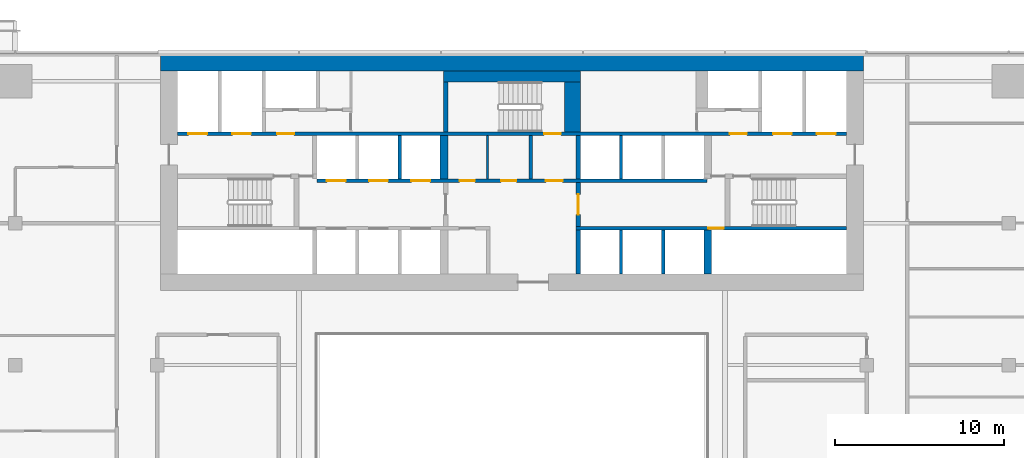
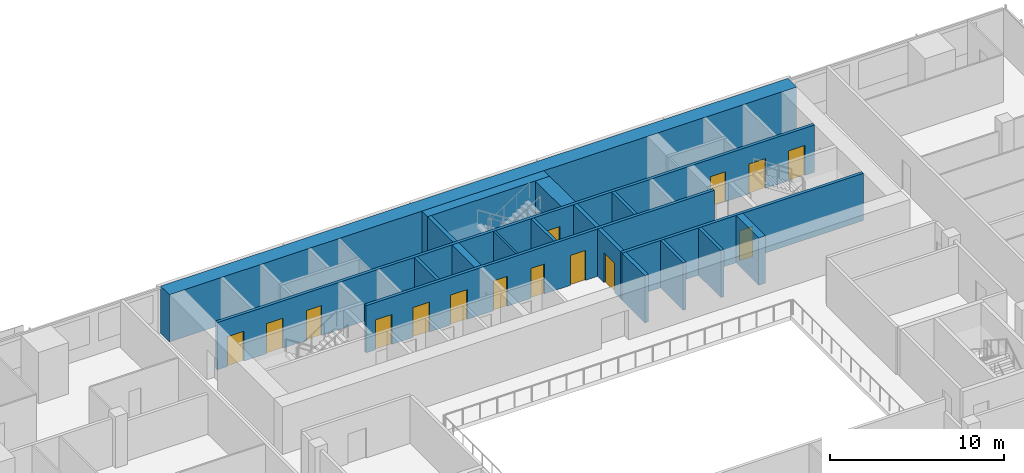
# One storey, part 22 of 30: 18 walls, 15 doors, 15 openings.
"""IFC4 building model written with IfcOpenShell, lengths in metres."""

from ifc_helpers import new_model, si_unit, direction, frame, frame_2d, origin, place, context, subcontext, project, spatial, rectangle, extrude, material, layer, layer_set, type_object, element, fill, save


model = new_model("IFC4")

# Units and contexts
model_context = context("Model", 3, precision=1e-05, world=origin(), true_north=direction((0.0, 1.0)))
body_context = subcontext(model_context, "Body", "Model", "MODEL_VIEW")
ifc_project = project(units=[si_unit("LENGTHUNIT", "METRE"), si_unit("AREAUNIT", "SQUARE_METRE"), si_unit("VOLUMEUNIT", "CUBIC_METRE"), si_unit("PLANEANGLEUNIT", "RADIAN"), si_unit("MASSUNIT", "GRAM", prefix="KILO")], contexts=[model_context])

# Site, building, storey
site_placement = place(None, origin())
site = spatial("IfcSite", under=ifc_project, at=site_placement, CompositionType="ELEMENT")
building_placement = place(site_placement, origin())
building = spatial("IfcBuilding", under=site, at=building_placement, Name="Saffron Gate Tower", CompositionType="ELEMENT")
storey_placement = place(building_placement, frame((0.0, 0.0, 127.64990234375)))
storey = spatial("IfcBuildingStorey", under=building, at=storey_placement, Name="L30", CompositionType="ELEMENT", Elevation=127.64990234375)

# Walls
ifc_material_1 = material(Name="Gypsum board partition on steel studs", Category="steel")
ifc_layer_1 = layer(ifc_material_1, 0.199951171875)
ifc_layer_set_1 = layer_set([ifc_layer_1], Name="CW10 Core partition 200")
wall_type_1 = type_object("IfcWallType", Name="CW10 Core partition 200", PredefinedType="PARTITIONING", material=ifc_layer_set_1)
wall_1_placement = place(storey_placement, frame((88.699951171875, 68.0, 0.0), z_axis=(0.0, 0.0, 1.0), x_axis=(0.0, 1.0, 0.0)))
element("IfcWall", 1, at=wall_1_placement, inside=storey, type_object=wall_type_1, Name="Wall CW10-L30-25", PredefinedType="PARTITIONING", context=body_context, shape_type="SweptSolid", body=[
    extrude(rectangle(XDim=2.60009765625, YDim=0.199951171875, at=frame_2d((1.300048828125, 0.0))), origin(), (0.0, 0.0, 1.0), 3.320068359375),
])
ifc_material_2 = material(Name="Concrete C70", Category="concrete")
ifc_layer_2 = layer(ifc_material_2, 1.0)
ifc_layer_set_2 = layer_set([ifc_layer_2], Name="CW12 RC core wall 1000 C70")
wall_type_2 = type_object("IfcWallType", Name="CW12 RC core wall 1000 C70", PredefinedType="SOLIDWALL", material=ifc_layer_set_2)
wall_2_placement = place(storey_placement, frame((66.800048828125, 74.89990234375, 0.0), z_axis=(0.0, 0.0, 1.0), x_axis=(1.0, 0.0, 0.0)))
element("IfcWall", 2, at=wall_2_placement, inside=storey, type_object=wall_type_2, Name="Wall CW12-L30-2", PredefinedType="SOLIDWALL", context=body_context, shape_type="SweptSolid", body=[
    extrude(rectangle(XDim=41.599853515625, YDim=1.0, at=frame_2d((20.7998046875, 0.0))), origin(), (0.0, 0.0, 1.0), 3.320068359375),
])
ifc_layer_3 = layer(ifc_material_2, 0.25)
ifc_layer_set_3 = layer_set([ifc_layer_3], Name="CW2 RC core wall 250 C70")
wall_type_3 = type_object("IfcWallType", Name="CW2 RC core wall 250 C70", PredefinedType="SOLIDWALL", material=ifc_layer_set_3)
wall_3_placement = place(storey_placement, frame((91.52490234375, 62.39990234375, 0.0), z_axis=(0.0, 0.0, 1.0), x_axis=(0.0, 1.0, 0.0)))
element("IfcWall", 3, at=wall_3_placement, inside=storey, type_object=wall_type_3, Name="Wall CW2-L30-10", PredefinedType="SOLIDWALL", context=body_context, shape_type="SweptSolid", body=[
    extrude(rectangle(XDim=2.60009765625, YDim=0.25, at=frame_2d((1.300048828125, 0.0))), origin(), (0.0, 0.0, 1.0), 3.320068359375),
])

# Wall, opening, door
wall_4_placement = place(storey_placement, frame((91.52490234375, 65.199951171875, 0.0), z_axis=(0.0, 0.0, 1.0), x_axis=(0.0, 1.0, 0.0)))
wall_4 = element("IfcWall", 4, at=wall_4_placement, inside=storey, type_object=wall_type_3, Name="Wall CW2-L30-18", PredefinedType="SOLIDWALL", context=body_context, shape_type="SweptSolid", body=[
    extrude(rectangle(XDim=2.60009765625, YDim=0.25, at=frame_2d((1.300048828125, 0.0))), origin(), (0.0, 0.0, 1.0), 3.320068359375),
])
opening_1_placement = place(wall_4_placement, frame((0.699951171875, 0.0, 0.0)))
opening_1 = element("IfcOpeningElement", 5, at=opening_1_placement, cuts=wall_4, Name="Opening CR-01", PredefinedType="OPENING", context=body_context, shape_type="SweptSolid", body=[
    extrude(rectangle(XDim=1.199951171875, YDim=2.10009765625, at=frame_2d((0.60009765625, 1.050048828125))), frame((0.0, 0.135009765625, 0.0), z_axis=(0.0, -1.0, 0.0), x_axis=(1.0, 0.0, 0.0)), (0.0, 0.0, 1.0), 0.27001953125),
])
ifc_material_3 = material(Name="Steel fire door set", Category="steel")
door_type_1 = type_object("IfcDoorType", Name="CD3 Lobby door 1200x2100 EI 120", OperationType="NOTDEFINED", PredefinedType="DOOR", material=ifc_material_3)
door_1_placement = place(opening_1_placement, origin())
door_1 = element("IfcDoor", 6, at=door_1_placement, inside=storey, type_object=door_type_1, Name="DOOR CR-01", OperationType="SINGLE_SWING_RIGHT", OverallHeight=2.10009765625, OverallWidth=1.199951171875, PredefinedType="DOOR", context=body_context, shape_type="SweptSolid", body=[
    extrude(rectangle(XDim=1.199951171875, YDim=2.10009765625, at=frame_2d((0.60009765625, 1.050048828125))), frame((0.0, 0.02490234375, 0.0), z_axis=(0.0, -1.0, 0.0), x_axis=(1.0, 0.0, 0.0)), (0.0, 0.0, 1.0), 0.050048828125),
])
fill(opening_1, door_1)

# Walls
wall_5_placement = place(storey_placement, frame((91.52490234375, 68.0, 0.0), z_axis=(0.0, 0.0, 1.0), x_axis=(0.0, 1.0, 0.0)))
element("IfcWall", 7, at=wall_5_placement, inside=storey, type_object=wall_type_3, Name="Wall CW2-L30-26", PredefinedType="SOLIDWALL", context=body_context, shape_type="SweptSolid", body=[
    extrude(rectangle(XDim=2.60009765625, YDim=0.25, at=frame_2d((1.300048828125, 0.0))), origin(), (0.0, 0.0, 1.0), 3.320068359375),
])
wall_6_placement = place(storey_placement, frame((83.675048828125, 70.800048828125, 0.0), z_axis=(0.0, 0.0, 1.0), x_axis=(0.0, 1.0, 0.0)))
element("IfcWall", 8, at=wall_6_placement, inside=storey, type_object=wall_type_3, Name="Wall CW2-L30-38", PredefinedType="SOLIDWALL", context=body_context, shape_type="SweptSolid", body=[
    extrude(rectangle(XDim=2.949951171875, YDim=0.25, at=frame_2d((1.47509765625, 0.0))), origin(), (0.0, 0.0, 1.0), 3.320068359375),
])
ifc_layer_4 = layer(ifc_material_2, 0.199951171875)
ifc_layer_set_4 = layer_set([ifc_layer_4], Name="CW3 RC core wall 200 C70")
wall_type_4 = type_object("IfcWallType", Name="CW3 RC core wall 200 C70", PredefinedType="SOLIDWALL", material=ifc_layer_set_4)
for number, where, z_axis, x_axis, name in (
    (9, (94.050048828125, 62.39990234375, 0.0), (0.0, 0.0, 1.0), (0.0, 1.0, 0.0), "Wall CW3-L30-11"),
    (10, (96.550048828125, 62.39990234375, 0.0), (0.0, 0.0, 1.0), (0.0, 1.0, 0.0), "Wall CW3-L30-12"),
):
    element("IfcWall", number, at=place(storey_placement, frame(where, z_axis=z_axis, x_axis=x_axis)), inside=storey, type_object=wall_type_4, Name=name, PredefinedType="SOLIDWALL", context=body_context, shape_type="SweptSolid", body=[
        extrude(rectangle(XDim=2.60009765625, YDim=0.199951171875, at=frame_2d((1.300048828125, 0.0))), origin(), (0.0, 0.0, 1.0), 3.320068359375),
    ])

# Wall, opening, door
wall_7_placement = place(storey_placement, frame((91.39990234375, 65.10009765625, 0.0), z_axis=(0.0, 0.0, 1.0), x_axis=(1.0, 0.0, 0.0)))
wall_7 = element("IfcWall", 11, at=wall_7_placement, inside=storey, type_object=wall_type_4, Name="Wall CW3-L30-15", PredefinedType="SOLIDWALL", context=body_context, shape_type="SweptSolid", body=[
    extrude(rectangle(XDim=16.0, YDim=0.199951171875, at=frame_2d((8.0, 0.0))), origin(), (0.0, 0.0, 1.0), 3.320068359375),
])
opening_2_placement = place(wall_7_placement, frame((7.830078125, 0.0, 0.0)))
opening_2 = element("IfcOpeningElement", 12, at=opening_2_placement, cuts=wall_7, Name="Opening CR-48", PredefinedType="OPENING", context=body_context, shape_type="SweptSolid", body=[
    extrude(rectangle(XDim=0.89990234375, YDim=2.10009765625, at=frame_2d((0.449951171875, 1.050048828125))), frame((0.0, 0.10986328125, 0.0), z_axis=(0.0, -1.0, 0.0), x_axis=(1.0, 0.0, 0.0)), (0.0, 0.0, 1.0), 0.219970703125),
])
door_type_2 = type_object("IfcDoorType", Name="CD2 Riser door 900x2100 EI 60", OperationType="NOTDEFINED", PredefinedType="DOOR", material=ifc_material_3)
door_2_placement = place(opening_2_placement, origin())
door_2 = element("IfcDoor", 13, at=door_2_placement, inside=storey, type_object=door_type_2, Name="DOOR CR-48", OperationType="SINGLE_SWING_RIGHT", OverallHeight=2.10009765625, OverallWidth=0.89990234375, PredefinedType="DOOR", context=body_context, shape_type="SweptSolid", body=[
    extrude(rectangle(XDim=0.89990234375, YDim=2.10009765625, at=frame_2d((0.449951171875, 1.050048828125))), frame((0.0, 0.02490234375, 0.0), z_axis=(0.0, -1.0, 0.0), x_axis=(1.0, 0.0, 0.0)), (0.0, 0.0, 1.0), 0.050048828125),
])
fill(opening_2, door_2)

# Wall, openings, doors
wall_8_placement = place(storey_placement, frame((76.050048828125, 67.89990234375, 0.0), z_axis=(0.0, 0.0, 1.0), x_axis=(1.0, 0.0, 0.0)))
wall_8 = element("IfcWall", 14, at=wall_8_placement, inside=storey, type_object=wall_type_4, Name="Wall CW3-L30-20", PredefinedType="SOLIDWALL", context=body_context, shape_type="SweptSolid", body=[
    extrude(rectangle(XDim=23.099853515625, YDim=0.199951171875, at=frame_2d((11.5498046875, 0.0))), origin(), (0.0, 0.0, 1.0), 3.320068359375),
])
opening_3_placement = place(wall_8_placement, frame((0.60009765625, 0.0, 0.0)))
opening_3 = element("IfcOpeningElement", 15, at=opening_3_placement, cuts=wall_8, Name="Opening LD-LR4", PredefinedType="OPENING", context=body_context, shape_type="SweptSolid", body=[
    extrude(rectangle(XDim=1.10009765625, YDim=2.10009765625, at=frame_2d((0.550048828125, 1.050048828125))), frame((0.0, 0.10986328125, 0.0), z_axis=(0.0, -1.0, 0.0), x_axis=(1.0, 0.0, 0.0)), (0.0, 0.0, 1.0), 0.219970703125),
])
opening_4_placement = place(wall_8_placement, frame((3.10009765625, 0.0, 0.0)))
opening_4 = element("IfcOpeningElement", 16, at=opening_4_placement, cuts=wall_8, Name="Opening LD-LR5", PredefinedType="OPENING", context=body_context, shape_type="SweptSolid", body=[
    extrude(rectangle(XDim=1.10009765625, YDim=2.10009765625, at=frame_2d((0.550048828125, 1.050048828125))), frame((0.0, 0.10986328125, 0.0), z_axis=(0.0, -1.0, 0.0), x_axis=(1.0, 0.0, 0.0)), (0.0, 0.0, 1.0), 0.219970703125),
])
opening_5_placement = place(wall_8_placement, frame((5.60009765625, 0.0, 0.0)))
opening_5 = element("IfcOpeningElement", 17, at=opening_5_placement, cuts=wall_8, Name="Opening LD-LR6", PredefinedType="OPENING", context=body_context, shape_type="SweptSolid", body=[
    extrude(rectangle(XDim=1.10009765625, YDim=2.10009765625, at=frame_2d((0.550048828125, 1.050048828125))), frame((0.0, 0.10986328125, 0.0), z_axis=(0.0, -1.0, 0.0), x_axis=(1.0, 0.0, 0.0)), (0.0, 0.0, 1.0), 0.219970703125),
])
opening_6_placement = place(wall_8_placement, frame((8.449951171875, 0.0, 0.0)))
opening_6 = element("IfcOpeningElement", 18, at=opening_6_placement, cuts=wall_8, Name="Opening CR-67", PredefinedType="OPENING", context=body_context, shape_type="SweptSolid", body=[
    extrude(rectangle(XDim=0.89990234375, YDim=2.10009765625, at=frame_2d((0.449951171875, 1.050048828125))), frame((0.0, 0.10986328125, 0.0), z_axis=(0.0, -1.0, 0.0), x_axis=(1.0, 0.0, 0.0)), (0.0, 0.0, 1.0), 0.219970703125),
])
opening_7_placement = place(wall_8_placement, frame((10.909912109375, 0.0, 0.0)))
opening_7 = element("IfcOpeningElement", 19, at=opening_7_placement, cuts=wall_8, Name="Opening CR-68", PredefinedType="OPENING", context=body_context, shape_type="SweptSolid", body=[
    extrude(rectangle(XDim=0.89990234375, YDim=2.10009765625, at=frame_2d((0.449951171875, 1.050048828125))), frame((0.0, 0.10986328125, 0.0), z_axis=(0.0, -1.0, 0.0), x_axis=(1.0, 0.0, 0.0)), (0.0, 0.0, 1.0), 0.219970703125),
])
opening_8_placement = place(wall_8_placement, frame((13.550048828125, 0.0, 0.0)))
opening_8 = element("IfcOpeningElement", 20, at=opening_8_placement, cuts=wall_8, Name="Opening CR-02", PredefinedType="OPENING", context=body_context, shape_type="SweptSolid", body=[
    extrude(rectangle(XDim=1.0, YDim=2.10009765625, at=frame_2d((0.5, 1.050048828125))), frame((0.0, 0.10986328125, 0.0), z_axis=(0.0, -1.0, 0.0), x_axis=(1.0, 0.0, 0.0)), (0.0, 0.0, 1.0), 0.219970703125),
])
door_type_3 = type_object("IfcDoorType", Name="CD4 Lobby door 1000x2100 EI 120", OperationType="NOTDEFINED", PredefinedType="DOOR", material=ifc_material_3)
door_3_placement = place(opening_8_placement, origin())
door_3 = element("IfcDoor", 21, at=door_3_placement, inside=storey, type_object=door_type_3, Name="DOOR CR-02", OperationType="SINGLE_SWING_LEFT", OverallHeight=2.10009765625, OverallWidth=1.0, PredefinedType="DOOR", context=body_context, shape_type="SweptSolid", body=[
    extrude(rectangle(XDim=1.0, YDim=2.10009765625, at=frame_2d((0.5, 1.050048828125))), frame((0.0, 0.02490234375, 0.0), z_axis=(0.0, -1.0, 0.0), x_axis=(1.0, 0.0, 0.0)), (0.0, 0.0, 1.0), 0.050048828125),
])
fill(opening_8, door_3)
door_type_4 = type_object("IfcDoorType", Name="CD9 Room door 900x2100 EI 60", OperationType="NOTDEFINED", PredefinedType="DOOR", material=ifc_material_3)
door_4_placement = place(opening_6_placement, origin())
door_4 = element("IfcDoor", 22, at=door_4_placement, inside=storey, type_object=door_type_4, Name="DOOR CR-67", OperationType="SINGLE_SWING_LEFT", OverallHeight=2.10009765625, OverallWidth=0.89990234375, PredefinedType="DOOR", context=body_context, shape_type="SweptSolid", body=[
    extrude(rectangle(XDim=0.89990234375, YDim=2.10009765625, at=frame_2d((0.449951171875, 1.050048828125))), frame((0.0, 0.02490234375, 0.0), z_axis=(0.0, -1.0, 0.0), x_axis=(1.0, 0.0, 0.0)), (0.0, 0.0, 1.0), 0.050048828125),
])
fill(opening_6, door_4)
door_5_placement = place(opening_7_placement, origin())
door_5 = element("IfcDoor", 23, at=door_5_placement, inside=storey, type_object=door_type_4, Name="DOOR CR-68", OperationType="SINGLE_SWING_LEFT", OverallHeight=2.10009765625, OverallWidth=0.89990234375, PredefinedType="DOOR", context=body_context, shape_type="SweptSolid", body=[
    extrude(rectangle(XDim=0.89990234375, YDim=2.10009765625, at=frame_2d((0.449951171875, 1.050048828125))), frame((0.0, 0.02490234375, 0.0), z_axis=(0.0, -1.0, 0.0), x_axis=(1.0, 0.0, 0.0)), (0.0, 0.0, 1.0), 0.050048828125),
])
fill(opening_7, door_5)
ifc_material_4 = material(Name="Stainless steel landing door", Category="steel")
door_type_5 = type_object("IfcDoorType", Name="LD Lift landing door 1100x2100 EI 120", OperationType="SLIDING_TO_LEFT", PredefinedType="DOOR", material=ifc_material_4)
door_6_placement = place(opening_3_placement, origin())
door_6 = element("IfcDoor", 24, at=door_6_placement, inside=storey, type_object=door_type_5, Name="LANDING DOOR LD-LR4", OperationType="SLIDING_TO_RIGHT", OverallHeight=2.10009765625, OverallWidth=1.10009765625, PredefinedType="DOOR", context=body_context, shape_type="SweptSolid", body=[
    extrude(rectangle(XDim=1.10009765625, YDim=2.10009765625, at=frame_2d((0.550048828125, 1.050048828125))), frame((0.0, 0.02490234375, 0.0), z_axis=(0.0, -1.0, 0.0), x_axis=(1.0, 0.0, 0.0)), (0.0, 0.0, 1.0), 0.050048828125),
])
fill(opening_3, door_6)
door_7_placement = place(opening_4_placement, origin())
door_7 = element("IfcDoor", 25, at=door_7_placement, inside=storey, type_object=door_type_5, Name="LANDING DOOR LD-LR5", OperationType="SLIDING_TO_RIGHT", OverallHeight=2.10009765625, OverallWidth=1.10009765625, PredefinedType="DOOR", context=body_context, shape_type="SweptSolid", body=[
    extrude(rectangle(XDim=1.10009765625, YDim=2.10009765625, at=frame_2d((0.550048828125, 1.050048828125))), frame((0.0, 0.02490234375, 0.0), z_axis=(0.0, -1.0, 0.0), x_axis=(1.0, 0.0, 0.0)), (0.0, 0.0, 1.0), 0.050048828125),
])
fill(opening_4, door_7)
door_8_placement = place(opening_5_placement, origin())
door_8 = element("IfcDoor", 26, at=door_8_placement, inside=storey, type_object=door_type_5, Name="LANDING DOOR LD-LR6", OperationType="SLIDING_TO_RIGHT", OverallHeight=2.10009765625, OverallWidth=1.10009765625, PredefinedType="DOOR", context=body_context, shape_type="SweptSolid", body=[
    extrude(rectangle(XDim=1.10009765625, YDim=2.10009765625, at=frame_2d((0.550048828125, 1.050048828125))), frame((0.0, 0.02490234375, 0.0), z_axis=(0.0, -1.0, 0.0), x_axis=(1.0, 0.0, 0.0)), (0.0, 0.0, 1.0), 0.050048828125),
])
fill(opening_5, door_8)

# Walls
for number, where, z_axis, x_axis, name in (
    (27, (80.949951171875, 68.0, 0.0), (0.0, 0.0, 1.0), (0.0, 1.0, 0.0), "Wall CW3-L30-22"),
    (28, (94.050048828125, 68.0, 0.0), (0.0, 0.0, 1.0), (0.0, 1.0, 0.0), "Wall CW3-L30-27"),
):
    element("IfcWall", number, at=place(storey_placement, frame(where, z_axis=z_axis, x_axis=x_axis)), inside=storey, type_object=wall_type_4, Name=name, PredefinedType="SOLIDWALL", context=body_context, shape_type="SweptSolid", body=[
        extrude(rectangle(XDim=2.60009765625, YDim=0.199951171875, at=frame_2d((1.300048828125, 0.0))), origin(), (0.0, 0.0, 1.0), 3.320068359375),
    ])

# Wall, openings, doors
wall_9_placement = place(storey_placement, frame((67.800048828125, 70.699951171875, 0.0), z_axis=(0.0, 0.0, 1.0), x_axis=(1.0, 0.0, 0.0)))
wall_9 = element("IfcWall", 29, at=wall_9_placement, inside=storey, type_object=wall_type_4, Name="Wall CW3-L30-34", PredefinedType="SOLIDWALL", context=body_context, shape_type="SweptSolid", body=[
    extrude(rectangle(XDim=39.599853515625, YDim=0.199951171875, at=frame_2d((19.7998046875, 0.0))), origin(), (0.0, 0.0, 1.0), 3.320068359375),
])
opening_9_placement = place(wall_9_placement, frame((0.64990234375, 0.0, 0.0)))
opening_9 = element("IfcOpeningElement", 30, at=opening_9_placement, cuts=wall_9, Name="Opening LD-FF1", PredefinedType="OPENING", context=body_context, shape_type="SweptSolid", body=[
    extrude(rectangle(XDim=1.10009765625, YDim=2.10009765625, at=frame_2d((0.550048828125, 1.050048828125))), frame((0.0, 0.10986328125, 0.0), z_axis=(0.0, -1.0, 0.0), x_axis=(1.0, 0.0, 0.0)), (0.0, 0.0, 1.0), 0.219970703125),
])
opening_10_placement = place(wall_9_placement, frame((3.25, 0.0, 0.0)))
opening_10 = element("IfcOpeningElement", 31, at=opening_10_placement, cuts=wall_9, Name="Opening LD-SV1", PredefinedType="OPENING", context=body_context, shape_type="SweptSolid", body=[
    extrude(rectangle(XDim=1.10009765625, YDim=2.10009765625, at=frame_2d((0.550048828125, 1.050048828125))), frame((0.0, 0.10986328125, 0.0), z_axis=(0.0, -1.0, 0.0), x_axis=(1.0, 0.0, 0.0)), (0.0, 0.0, 1.0), 0.219970703125),
])
opening_11_placement = place(wall_9_placement, frame((5.89990234375, 0.0, 0.0)))
opening_11 = element("IfcOpeningElement", 32, at=opening_11_placement, cuts=wall_9, Name="Opening CR-03", PredefinedType="OPENING", context=body_context, shape_type="SweptSolid", body=[
    extrude(rectangle(XDim=1.0, YDim=2.10009765625, at=frame_2d((0.5, 1.050048828125))), frame((0.0, 0.10986328125, 0.0), z_axis=(0.0, -1.0, 0.0), x_axis=(1.0, 0.0, 0.0)), (0.0, 0.0, 1.0), 0.219970703125),
])
opening_12_placement = place(wall_9_placement, frame((21.699951171875, 0.0, 0.0)))
opening_12 = element("IfcOpeningElement", 33, at=opening_12_placement, cuts=wall_9, Name="Opening CR-17", PredefinedType="OPENING", context=body_context, shape_type="SweptSolid", body=[
    extrude(rectangle(XDim=1.0, YDim=2.10009765625, at=frame_2d((0.5, 1.050048828125))), frame((0.0, 0.10986328125, 0.0), z_axis=(0.0, -1.0, 0.0), x_axis=(1.0, 0.0, 0.0)), (0.0, 0.0, 1.0), 0.219970703125),
])
opening_13_placement = place(wall_9_placement, frame((32.699951171875, 0.0, 0.0)))
opening_13 = element("IfcOpeningElement", 34, at=opening_13_placement, cuts=wall_9, Name="Opening CR-04", PredefinedType="OPENING", context=body_context, shape_type="SweptSolid", body=[
    extrude(rectangle(XDim=1.0, YDim=2.10009765625, at=frame_2d((0.5, 1.050048828125))), frame((0.0, 0.10986328125, 0.0), z_axis=(0.0, -1.0, 0.0), x_axis=(1.0, 0.0, 0.0)), (0.0, 0.0, 1.0), 0.219970703125),
])
opening_14_placement = place(wall_9_placement, frame((35.25, 0.0, 0.0)))
opening_14 = element("IfcOpeningElement", 35, at=opening_14_placement, cuts=wall_9, Name="Opening LD-SV2", PredefinedType="OPENING", context=body_context, shape_type="SweptSolid", body=[
    extrude(rectangle(XDim=1.10009765625, YDim=2.10009765625, at=frame_2d((0.550048828125, 1.050048828125))), frame((0.0, 0.10986328125, 0.0), z_axis=(0.0, -1.0, 0.0), x_axis=(1.0, 0.0, 0.0)), (0.0, 0.0, 1.0), 0.219970703125),
])
opening_15_placement = place(wall_9_placement, frame((37.85009765625, 0.0, 0.0)))
opening_15 = element("IfcOpeningElement", 36, at=opening_15_placement, cuts=wall_9, Name="Opening LD-FF2", PredefinedType="OPENING", context=body_context, shape_type="SweptSolid", body=[
    extrude(rectangle(XDim=1.10009765625, YDim=2.10009765625, at=frame_2d((0.550048828125, 1.050048828125))), frame((0.0, 0.10986328125, 0.0), z_axis=(0.0, -1.0, 0.0), x_axis=(1.0, 0.0, 0.0)), (0.0, 0.0, 1.0), 0.219970703125),
])
door_9_placement = place(opening_11_placement, origin())
door_9 = element("IfcDoor", 37, at=door_9_placement, inside=storey, type_object=door_type_3, Name="DOOR CR-03", OperationType="SINGLE_SWING_LEFT", OverallHeight=2.10009765625, OverallWidth=1.0, PredefinedType="DOOR", context=body_context, shape_type="SweptSolid", body=[
    extrude(rectangle(XDim=1.0, YDim=2.10009765625, at=frame_2d((0.5, 1.050048828125))), frame((0.0, 0.02490234375, 0.0), z_axis=(0.0, -1.0, 0.0), x_axis=(1.0, 0.0, 0.0)), (0.0, 0.0, 1.0), 0.050048828125),
])
fill(opening_11, door_9)
door_10_placement = place(opening_13_placement, origin())
door_10 = element("IfcDoor", 38, at=door_10_placement, inside=storey, type_object=door_type_3, Name="DOOR CR-04", OperationType="SINGLE_SWING_RIGHT", OverallHeight=2.10009765625, OverallWidth=1.0, PredefinedType="DOOR", context=body_context, shape_type="SweptSolid", body=[
    extrude(rectangle(XDim=1.0, YDim=2.10009765625, at=frame_2d((0.5, 1.050048828125))), frame((0.0, 0.02490234375, 0.0), z_axis=(0.0, -1.0, 0.0), x_axis=(1.0, 0.0, 0.0)), (0.0, 0.0, 1.0), 0.050048828125),
])
fill(opening_13, door_10)
door_type_6 = type_object("IfcDoorType", Name="CD5 Stair door 1000x2100 EI 120", OperationType="NOTDEFINED", PredefinedType="DOOR", material=ifc_material_3)
door_11_placement = place(opening_12_placement, origin())
door_11 = element("IfcDoor", 39, at=door_11_placement, inside=storey, type_object=door_type_6, Name="DOOR CR-17", OperationType="SINGLE_SWING_RIGHT", OverallHeight=2.10009765625, OverallWidth=1.0, PredefinedType="DOOR", context=body_context, shape_type="SweptSolid", body=[
    extrude(rectangle(XDim=1.0, YDim=2.10009765625, at=frame_2d((0.5, 1.050048828125))), frame((0.0, 0.02490234375, 0.0), z_axis=(0.0, -1.0, 0.0), x_axis=(1.0, 0.0, 0.0)), (0.0, 0.0, 1.0), 0.050048828125),
])
fill(opening_12, door_11)
door_12_placement = place(opening_9_placement, origin())
door_12 = element("IfcDoor", 40, at=door_12_placement, inside=storey, type_object=door_type_5, Name="LANDING DOOR LD-FF1", OperationType="SLIDING_TO_RIGHT", OverallHeight=2.10009765625, OverallWidth=1.10009765625, PredefinedType="DOOR", context=body_context, shape_type="SweptSolid", body=[
    extrude(rectangle(XDim=1.10009765625, YDim=2.10009765625, at=frame_2d((0.550048828125, 1.050048828125))), frame((0.0, 0.02490234375, 0.0), z_axis=(0.0, -1.0, 0.0), x_axis=(1.0, 0.0, 0.0)), (0.0, 0.0, 1.0), 0.050048828125),
])
fill(opening_9, door_12)
door_13_placement = place(opening_10_placement, origin())
door_13 = element("IfcDoor", 41, at=door_13_placement, inside=storey, type_object=door_type_5, Name="LANDING DOOR LD-SV1", OperationType="SLIDING_TO_RIGHT", OverallHeight=2.10009765625, OverallWidth=1.10009765625, PredefinedType="DOOR", context=body_context, shape_type="SweptSolid", body=[
    extrude(rectangle(XDim=1.10009765625, YDim=2.10009765625, at=frame_2d((0.550048828125, 1.050048828125))), frame((0.0, 0.02490234375, 0.0), z_axis=(0.0, -1.0, 0.0), x_axis=(1.0, 0.0, 0.0)), (0.0, 0.0, 1.0), 0.050048828125),
])
fill(opening_10, door_13)
door_14_placement = place(opening_14_placement, origin())
door_14 = element("IfcDoor", 42, at=door_14_placement, inside=storey, type_object=door_type_5, Name="LANDING DOOR LD-SV2", OperationType="SLIDING_TO_RIGHT", OverallHeight=2.10009765625, OverallWidth=1.10009765625, PredefinedType="DOOR", context=body_context, shape_type="SweptSolid", body=[
    extrude(rectangle(XDim=1.10009765625, YDim=2.10009765625, at=frame_2d((0.550048828125, 1.050048828125))), frame((0.0, 0.02490234375, 0.0), z_axis=(0.0, -1.0, 0.0), x_axis=(1.0, 0.0, 0.0)), (0.0, 0.0, 1.0), 0.050048828125),
])
fill(opening_14, door_14)
door_15_placement = place(opening_15_placement, origin())
door_15 = element("IfcDoor", 43, at=door_15_placement, inside=storey, type_object=door_type_5, Name="LANDING DOOR LD-FF2", OperationType="SLIDING_TO_RIGHT", OverallHeight=2.10009765625, OverallWidth=1.10009765625, PredefinedType="DOOR", context=body_context, shape_type="SweptSolid", body=[
    extrude(rectangle(XDim=1.10009765625, YDim=2.10009765625, at=frame_2d((0.550048828125, 1.050048828125))), frame((0.0, 0.02490234375, 0.0), z_axis=(0.0, -1.0, 0.0), x_axis=(1.0, 0.0, 0.0)), (0.0, 0.0, 1.0), 0.050048828125),
])
fill(opening_15, door_15)

# Walls
ifc_layer_5 = layer(ifc_material_2, 0.449951171875)
ifc_layer_set_5 = layer_set([ifc_layer_5], Name="CW4 RC core wall 450 C70")
wall_type_5 = type_object("IfcWallType", Name="CW4 RC core wall 450 C70", PredefinedType="SOLIDWALL", material=ifc_layer_set_5)
for number, where, z_axis, x_axis, name in (
    (44, (99.175048828125, 62.39990234375, 0.0), (0.0, 0.0, 1.0), (0.0, 1.0, 0.0), "Wall CW4-L30-13"),
    (45, (83.574951171875, 68.0, 0.0), (0.0, 0.0, 1.0), (0.0, 1.0, 0.0), "Wall CW4-L30-23"),
):
    element("IfcWall", number, at=place(storey_placement, frame(where, z_axis=z_axis, x_axis=x_axis)), inside=storey, type_object=wall_type_5, Name=name, PredefinedType="SOLIDWALL", context=body_context, shape_type="SweptSolid", body=[
        extrude(rectangle(XDim=2.60009765625, YDim=0.449951171875, at=frame_2d((1.300048828125, 0.0))), origin(), (0.0, 0.0, 1.0), 3.320068359375),
    ])
ifc_layer_6 = layer(ifc_material_2, 0.949951171875)
ifc_layer_set_6 = layer_set([ifc_layer_6], Name="CW7 RC core wall 950 C70")
wall_type_6 = type_object("IfcWallType", Name="CW7 RC core wall 950 C70", PredefinedType="SOLIDWALL", material=ifc_layer_set_6)
wall_10_placement = place(storey_placement, frame((91.175048828125, 70.800048828125, 0.0), z_axis=(0.0, 0.0, 1.0), x_axis=(0.0, 1.0, 0.0)))
element("IfcWall", 46, at=wall_10_placement, inside=storey, type_object=wall_type_6, Name="Wall CW7-L30-39", PredefinedType="SOLIDWALL", context=body_context, shape_type="SweptSolid", body=[
    extrude(rectangle(XDim=2.949951171875, YDim=0.949951171875, at=frame_2d((1.47509765625, 0.0))), origin(), (0.0, 0.0, 1.0), 3.320068359375),
])
ifc_layer_7 = layer(ifc_material_1, 0.1201171875)
ifc_layer_set_7 = layer_set([ifc_layer_7], Name="CW8 Core partition 120")
wall_type_7 = type_object("IfcWallType", Name="CW8 Core partition 120", PredefinedType="PARTITIONING", material=ifc_layer_set_7)
wall_11_placement = place(storey_placement, frame((86.159912109375, 68.0, 0.0), z_axis=(0.0, 0.0, 1.0), x_axis=(0.0, 1.0, 0.0)))
element("IfcWall", 47, at=wall_11_placement, inside=storey, type_object=wall_type_7, Name="Wall CW8-L30-24", PredefinedType="PARTITIONING", context=body_context, shape_type="SweptSolid", body=[
    extrude(rectangle(XDim=2.60009765625, YDim=0.1201171875, at=frame_2d((1.300048828125, 0.0))), origin(), (0.0, 0.0, 1.0), 3.320068359375),
])
ifc_layer_8 = layer(ifc_material_2, 0.64990234375)
ifc_layer_set_8 = layer_set([ifc_layer_8], Name="CW9 RC core wall 650 C70")
wall_type_8 = type_object("IfcWallType", Name="CW9 RC core wall 650 C70", PredefinedType="SOLIDWALL", material=ifc_layer_set_8)
wall_12_placement = place(storey_placement, frame((83.550048828125, 74.074951171875, 0.0), z_axis=(0.0, 0.0, 1.0), x_axis=(1.0, 0.0, 0.0)))
element("IfcWall", 48, at=wall_12_placement, inside=storey, type_object=wall_type_8, Name="Wall CW9-L30-50", PredefinedType="SOLIDWALL", context=body_context, shape_type="SweptSolid", body=[
    extrude(rectangle(XDim=8.099853515625, YDim=0.64990234375, at=frame_2d((4.0498046875, 0.0))), origin(), (0.0, 0.0, 1.0), 3.320068359375),
])

save(model, "model.ifc")
